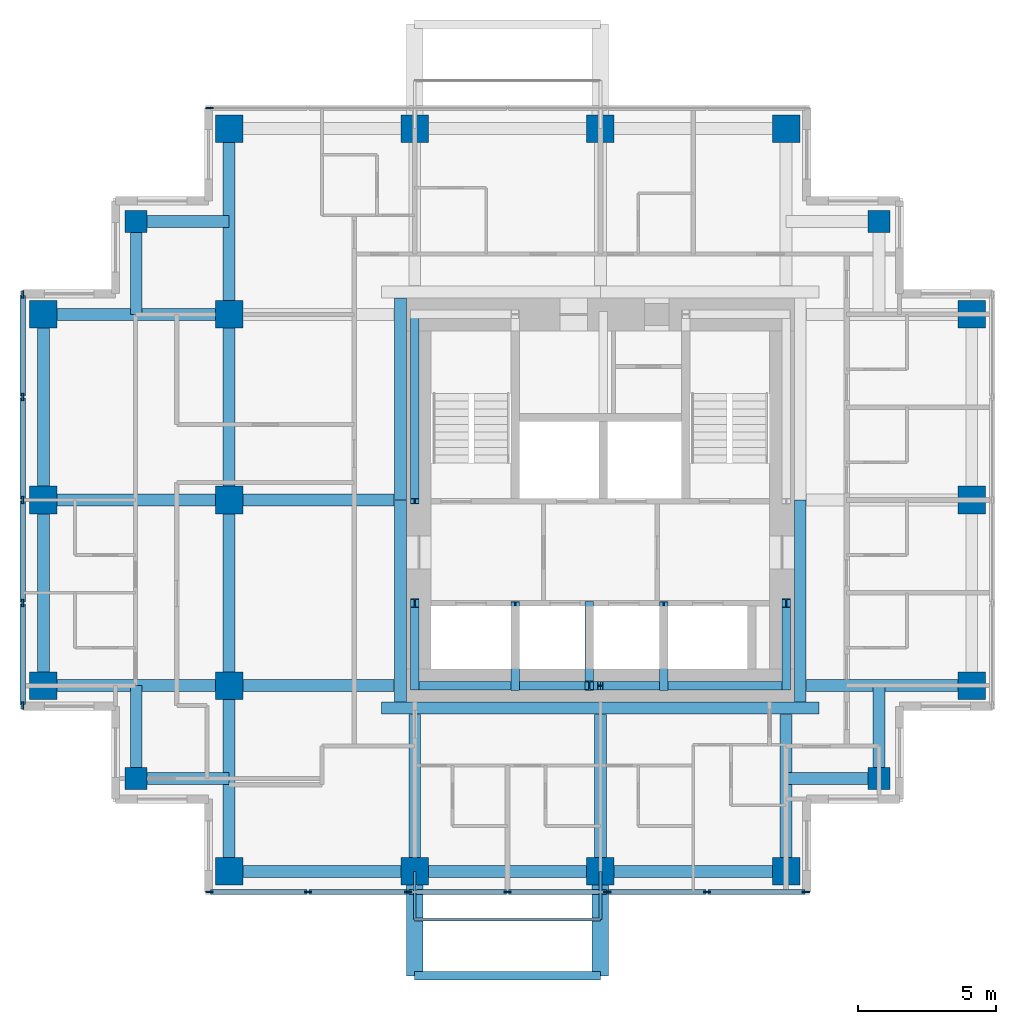
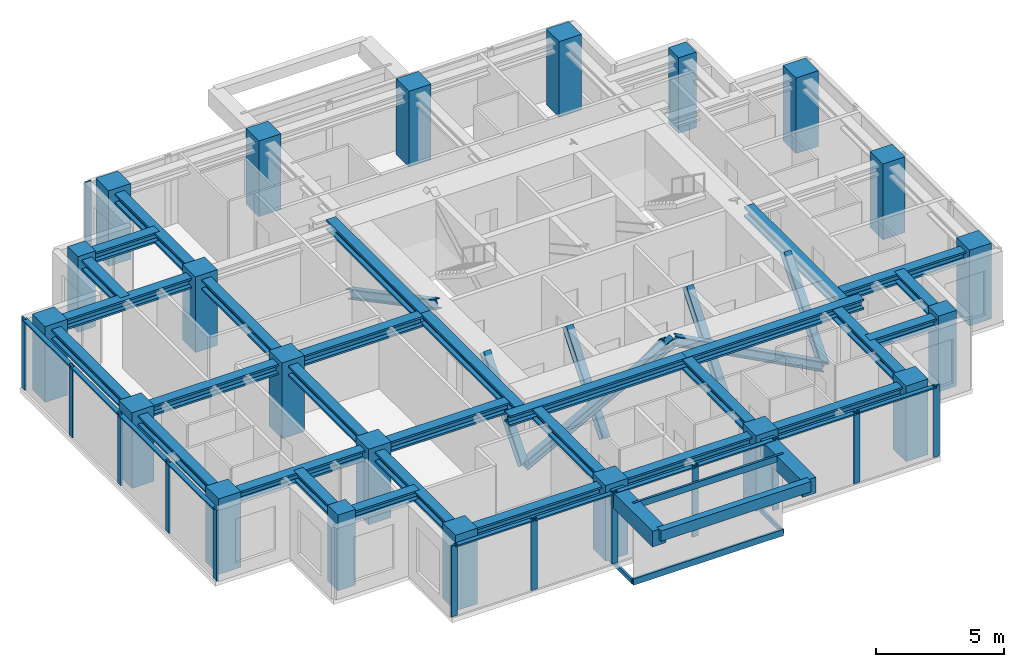
# One storey, part 1 of 8: 35 members, 32 beams, 21 columns, 3 elements without a shape of their own.
"""IFC4 building model written with IfcOpenShell, lengths in metres."""

from ifc_helpers import new_model, si_unit, direction, frame, origin, origin_2d, place, context, subcontext, project, spatial, rectangle, hollow_rectangle, i_section, extrude, material, material_profile, profile_set, type_object, element, aggregate, save


model = new_model("IFC4")

# Units and contexts
model_context = context("Model", 3, precision=1e-05, world=origin(), true_north=direction((0.0, 1.0)))
body_context = subcontext(model_context, "Body", "Model", "MODEL_VIEW")
ifc_project = project(units=[si_unit("LENGTHUNIT", "METRE"), si_unit("AREAUNIT", "SQUARE_METRE"), si_unit("VOLUMEUNIT", "CUBIC_METRE"), si_unit("PLANEANGLEUNIT", "RADIAN"), si_unit("MASSUNIT", "GRAM", prefix="KILO")], contexts=[model_context])

# Site, building, storey
site_placement = place(None, origin())
site = spatial("IfcSite", under=ifc_project, at=site_placement, CompositionType="ELEMENT")
building_placement = place(site_placement, origin())
building = spatial("IfcBuilding", under=site, at=building_placement, Name="Nyansa Garden Tower", CompositionType="ELEMENT")
storey_placement = place(building_placement, frame((0.0, 0.0, 243.89990234375)))
storey = spatial("IfcBuildingStorey", under=building, at=storey_placement, Name="L66", CompositionType="ELEMENT", Elevation=243.89990234375)

# Columns
ifc_material_1 = material(Name="Concrete C70/85", Category="concrete")
ifc_material_profile_1 = material_profile(ifc_material_1, rectangle(XDim=1.0, YDim=1.0, at=origin_2d()), Name="RC 1000x1000")
ifc_profile_set_1 = profile_set([ifc_material_profile_1], Name="Concrete C70/85")
column_type_1 = type_object("IfcColumnType", Name="Column C100 RC 1000x1000", PredefinedType="COLUMN", material=ifc_profile_set_1)
for number, where, z_axis, x_axis, name in (
    (1, (0.0, 13.5, 0.0), (0.0, 0.0, 1.0), (1.0, 0.0, 0.0), "Column 2/F L66"),
    (2, (0.0, 20.25, 0.0), (0.0, 0.0, 1.0), (1.0, 0.0, 0.0), "Column 2/G L66"),
    (3, (0.0, 27.0, 0.0), (0.0, 0.0, 1.0), (1.0, 0.0, 0.0), "Column 2/H L66"),
    (4, (6.75, 6.75, 0.0), (0.0, 0.0, 1.0), (1.0, 0.0, 0.0), "Column 3/E L66"),
    (5, (6.75, 13.5, 0.0), (0.0, 0.0, 1.0), (1.0, 0.0, 0.0), "Column 3/F L66"),
    (6, (6.75, 20.25, 0.0), (0.0, 0.0, 1.0), (1.0, 0.0, 0.0), "Column 3/G L66"),
    (7, (6.75, 27.0, 0.0), (0.0, 0.0, 1.0), (1.0, 0.0, 0.0), "Column 3/H L66"),
    (8, (6.75, 33.75, 0.0), (0.0, 0.0, 1.0), (1.0, 0.0, 0.0), "Column 3/J L66"),
    (9, (13.5, 6.75, 0.0), (0.0, 0.0, 1.0), (1.0, 0.0, 0.0), "Column 4/E L66"),
    (10, (13.5, 33.75, 0.0), (0.0, 0.0, 1.0), (1.0, 0.0, 0.0), "Column 4/J L66"),
    (11, (20.25, 6.75, 0.0), (0.0, 0.0, 1.0), (1.0, 0.0, 0.0), "Column 5/E L66"),
    (12, (20.25, 33.75, 0.0), (0.0, 0.0, 1.0), (1.0, 0.0, 0.0), "Column 5/J L66"),
    (13, (27.0, 6.75, 0.0), (0.0, 0.0, 1.0), (1.0, 0.0, 0.0), "Column 6/E L66"),
    (14, (27.0, 33.75, 0.0), (0.0, 0.0, 1.0), (1.0, 0.0, 0.0), "Column 6/J L66"),
    (15, (33.75, 13.5, 0.0), (0.0, 0.0, 1.0), (1.0, 0.0, 0.0), "Column 7/F L66"),
    (16, (33.75, 20.25, 0.0), (0.0, 0.0, 1.0), (1.0, 0.0, 0.0), "Column 7/G L66"),
    (17, (33.75, 27.0, 0.0), (0.0, 0.0, 1.0), (1.0, 0.0, 0.0), "Column 7/H L66"),
):
    element("IfcColumn", number, at=place(storey_placement, frame(where, z_axis=z_axis, x_axis=x_axis)), inside=storey, type_object=column_type_1, Name=name, PredefinedType="COLUMN", context=body_context, shape_type="SweptSolid", body=[
        extrude(rectangle(XDim=1.0, YDim=1.0, at=origin_2d()), origin(), (0.0, 0.0, 1.0), 3.60009765625),
    ])
ifc_material_2 = material(Name="Concrete C70/85", Category="concrete")
ifc_material_profile_2 = material_profile(ifc_material_2, rectangle(XDim=0.800048828125, YDim=0.800048828125, at=origin_2d()), Name="RC 800x800")
ifc_profile_set_2 = profile_set([ifc_material_profile_2], Name="Concrete C70/85")
column_type_2 = type_object("IfcColumnType", Name="Column C80 RC 800x800", PredefinedType="COLUMN", material=ifc_profile_set_2)
for number, where, z_axis, x_axis, name in (
    (18, (3.375, 10.125, 0.0), (0.0, 0.0, 1.0), (1.0, 0.0, 0.0), "Column x3.375/y10.125 L66"),
    (19, (3.375, 30.375, 0.0), (0.0, 0.0, 1.0), (1.0, 0.0, 0.0), "Column x3.375/y30.375 L66"),
    (20, (30.375, 10.125, 0.0), (0.0, 0.0, 1.0), (1.0, 0.0, 0.0), "Column x30.375/y10.125 L66"),
    (21, (30.375, 30.375, 0.0), (0.0, 0.0, 1.0), (1.0, 0.0, 0.0), "Column x30.375/y30.375 L66"),
):
    element("IfcColumn", number, at=place(storey_placement, frame(where, z_axis=z_axis, x_axis=x_axis)), inside=storey, type_object=column_type_2, Name=name, PredefinedType="COLUMN", context=body_context, shape_type="SweptSolid", body=[
        extrude(rectangle(XDim=0.800048828125, YDim=0.800048828125, at=origin_2d()), origin(), (0.0, 0.0, 1.0), 3.60009765625),
    ])

# Beams
ifc_material_3 = material(Name="Concrete C70/85", Category="concrete")
ifc_material_profile_3 = material_profile(ifc_material_3, rectangle(XDim=0.60009765625, YDim=0.75, at=origin_2d()), Name="RC 600x750")
ifc_profile_set_3 = profile_set([ifc_material_profile_3], Name="Concrete C70/85")
beam_type_1 = type_object("IfcBeamType", Name="Balcony cantilever beam CB1 RC 600x750", PredefinedType="BEAM", material=ifc_profile_set_3)
for number, where, z_axis, x_axis, name in (
    (22, (13.5, 6.75, 2.985107421875), (0.0, -1.0, 0.0), (1.0, 0.0, 0.0), "Balcony cantilever beam L67"),
    (23, (20.25, 6.75, 2.985107421875), (0.0, -1.0, 0.0), (1.0, 0.0, 0.0), "Balcony cantilever beam L67"),
):
    element("IfcBeam", number, at=place(storey_placement, frame(where, z_axis=z_axis, x_axis=x_axis)), inside=storey, type_object=beam_type_1, Name=name, PredefinedType="BEAM", context=body_context, shape_type="SweptSolid", body=[
        extrude(rectangle(XDim=0.60009765625, YDim=0.75, at=origin_2d()), origin(), (0.0, 0.0, 1.0), 3.800048828125),
    ])
ifc_material_4 = material(Name="Concrete C70/85", Category="concrete")
ifc_material_profile_4 = material_profile(ifc_material_4, rectangle(XDim=0.300048828125, YDim=0.5, at=origin_2d()), Name="RC 300x500")
ifc_profile_set_4 = profile_set([ifc_material_profile_4], Name="Concrete C70/85")
beam_type_2 = type_object("IfcBeamType", Name="Balcony edge beam BE1 RC 300x500", PredefinedType="BEAM", material=ifc_profile_set_4)
beam_1_placement = place(storey_placement, frame((13.5, 2.949951171875, 3.110107421875), z_axis=(1.0, 0.0, 0.0), x_axis=(0.0, 1.0, 0.0)))
element("IfcBeam", 24, at=beam_1_placement, inside=storey, type_object=beam_type_2, Name="Balcony edge beam L67", PredefinedType="BEAM", context=body_context, shape_type="SweptSolid", body=[
    extrude(rectangle(XDim=0.300048828125, YDim=0.5, at=origin_2d()), origin(), (0.0, 0.0, 1.0), 6.75),
])

# Curtain wall, member
ifc_material_5 = material(Name="Black anodised aluminium, dark tinted double glazing", Category="aluminium")
curtain_wall_type = type_object("IfcCurtainWallType", Name="Inner skin curtain wall ISW-D", PredefinedType="USERDEFINED", material=ifc_material_5)
curtain_wall_1_placement = place(storey_placement, origin())
curtain_wall_1 = element("IfcCurtainWall", 25, at=curtain_wall_1_placement, inside=storey, type_object=curtain_wall_type, Name="Inner skin curtain wall L66 N", ObjectType="UNITISED CURTAIN WALL", PredefinedType="USERDEFINED")
ifc_material_6 = material(Name="Black anodised aluminium", Category="aluminium")
ifc_material_profile_5 = material_profile(ifc_material_6, rectangle(XDim=0.070068359375, YDim=0.27490234375, at=origin_2d()), Name="Mullion 275x70")
ifc_profile_set_5 = profile_set([ifc_material_profile_5], Name="Black anodised aluminium")
member_type_1 = type_object("IfcMemberType", Name="Mullion ISW-D 275x70", PredefinedType="MULLION", material=ifc_profile_set_5)
member_1_placement = place(storey_placement, frame((6.034912109375, 34.5, 0.0), z_axis=(0.0, 0.0, 1.0), x_axis=(0.0, -1.0, 0.0)))
member_1 = element("IfcMember", 26, at=member_1_placement, type_object=member_type_1, Name="ISW-D mullion 7", PredefinedType="MULLION", context=body_context, shape_type="SweptSolid", body=[
    extrude(rectangle(XDim=0.070068359375, YDim=0.27490234375, at=origin_2d()), origin(), (0.0, 0.0, 1.0), 3.375),
])
aggregate(curtain_wall_1, [member_1])

# Curtain wall, members
curtain_wall_2_placement = place(storey_placement, origin())
curtain_wall_2 = element("IfcCurtainWall", 27, at=curtain_wall_2_placement, inside=storey, type_object=curtain_wall_type, Name="Inner skin curtain wall L66 W", ObjectType="UNITISED CURTAIN WALL", PredefinedType="USERDEFINED")
member_2_placement = place(storey_placement, frame((-0.75, 27.715087890625, 0.0), z_axis=(0.0, 0.0, 1.0), x_axis=(1.0, 0.0, 0.0)))
member_2 = element("IfcMember", 28, at=member_2_placement, type_object=member_type_1, Name="ISW-D mullion 1", PredefinedType="MULLION", context=body_context, shape_type="SweptSolid", body=[
    extrude(rectangle(XDim=0.070068359375, YDim=0.27490234375, at=origin_2d()), origin(), (0.0, 0.0, 1.0), 3.375),
])
member_3_placement = place(storey_placement, frame((-0.75, 24.0, 0.0), z_axis=(0.0, 0.0, 1.0), x_axis=(1.0, 0.0, 0.0)))
member_3 = element("IfcMember", 29, at=member_3_placement, type_object=member_type_1, Name="ISW-D mullion 2", PredefinedType="MULLION", context=body_context, shape_type="SweptSolid", body=[
    extrude(rectangle(XDim=0.070068359375, YDim=0.27490234375, at=origin_2d()), origin(), (0.0, 0.0, 1.0), 3.375),
])
member_4_placement = place(storey_placement, frame((-0.75, 20.25, 0.0), z_axis=(0.0, 0.0, 1.0), x_axis=(1.0, 0.0, 0.0)))
member_4 = element("IfcMember", 30, at=member_4_placement, type_object=member_type_1, Name="ISW-D mullion 3", PredefinedType="MULLION", context=body_context, shape_type="SweptSolid", body=[
    extrude(rectangle(XDim=0.070068359375, YDim=0.27490234375, at=origin_2d()), origin(), (0.0, 0.0, 1.0), 3.375),
])
member_5_placement = place(storey_placement, frame((-0.75, 16.5, 0.0), z_axis=(0.0, 0.0, 1.0), x_axis=(1.0, 0.0, 0.0)))
member_5 = element("IfcMember", 31, at=member_5_placement, type_object=member_type_1, Name="ISW-D mullion 4", PredefinedType="MULLION", context=body_context, shape_type="SweptSolid", body=[
    extrude(rectangle(XDim=0.070068359375, YDim=0.27490234375, at=origin_2d()), origin(), (0.0, 0.0, 1.0), 3.375),
])
member_6_placement = place(storey_placement, frame((-0.75, 12.784912109375, 0.0), z_axis=(0.0, 0.0, 1.0), x_axis=(1.0, 0.0, 0.0)))
member_6 = element("IfcMember", 32, at=member_6_placement, type_object=member_type_1, Name="ISW-D mullion 5", PredefinedType="MULLION", context=body_context, shape_type="SweptSolid", body=[
    extrude(rectangle(XDim=0.070068359375, YDim=0.27490234375, at=origin_2d()), origin(), (0.0, 0.0, 1.0), 3.375),
])

curtain_wall_3_placement = place(storey_placement, origin())
curtain_wall_3 = element("IfcCurtainWall", 33, at=curtain_wall_3_placement, inside=storey, type_object=curtain_wall_type, Name="Inner skin curtain wall L66 S", ObjectType="UNITISED CURTAIN WALL", PredefinedType="USERDEFINED")
member_7_placement = place(storey_placement, frame((6.034912109375, 6.0, 0.0), z_axis=(0.0, 0.0, 1.0), x_axis=(0.0, 1.0, 0.0)))
member_7 = element("IfcMember", 34, at=member_7_placement, type_object=member_type_1, Name="ISW-D mullion 1", PredefinedType="MULLION", context=body_context, shape_type="SweptSolid", body=[
    extrude(rectangle(XDim=0.070068359375, YDim=0.27490234375, at=origin_2d()), origin(), (0.0, 0.0, 1.0), 3.375),
])
member_8_placement = place(storey_placement, frame((9.625, 6.0, 0.0), z_axis=(0.0, 0.0, 1.0), x_axis=(0.0, 1.0, 0.0)))
member_8 = element("IfcMember", 35, at=member_8_placement, type_object=member_type_1, Name="ISW-D mullion 2", PredefinedType="MULLION", context=body_context, shape_type="SweptSolid", body=[
    extrude(rectangle(XDim=0.070068359375, YDim=0.27490234375, at=origin_2d()), origin(), (0.0, 0.0, 1.0), 3.375),
])
member_9_placement = place(storey_placement, frame((13.25, 6.0, 0.0), z_axis=(0.0, 0.0, 1.0), x_axis=(0.0, 1.0, 0.0)))
member_9 = element("IfcMember", 36, at=member_9_placement, type_object=member_type_1, Name="ISW-D mullion 3", PredefinedType="MULLION", context=body_context, shape_type="SweptSolid", body=[
    extrude(rectangle(XDim=0.070068359375, YDim=0.27490234375, at=origin_2d()), origin(), (0.0, 0.0, 1.0), 3.375),
])
member_10_placement = place(storey_placement, frame((16.875, 6.0, 0.0), z_axis=(0.0, 0.0, 1.0), x_axis=(0.0, 1.0, 0.0)))
member_10 = element("IfcMember", 37, at=member_10_placement, type_object=member_type_1, Name="ISW-D mullion 4", PredefinedType="MULLION", context=body_context, shape_type="SweptSolid", body=[
    extrude(rectangle(XDim=0.070068359375, YDim=0.27490234375, at=origin_2d()), origin(), (0.0, 0.0, 1.0), 3.375),
])
member_11_placement = place(storey_placement, frame((20.5, 6.0, 0.0), z_axis=(0.0, 0.0, 1.0), x_axis=(0.0, 1.0, 0.0)))
member_11 = element("IfcMember", 38, at=member_11_placement, type_object=member_type_1, Name="ISW-D mullion 5", PredefinedType="MULLION", context=body_context, shape_type="SweptSolid", body=[
    extrude(rectangle(XDim=0.070068359375, YDim=0.27490234375, at=origin_2d()), origin(), (0.0, 0.0, 1.0), 3.375),
])
member_12_placement = place(storey_placement, frame((24.125, 6.0, 0.0), z_axis=(0.0, 0.0, 1.0), x_axis=(0.0, 1.0, 0.0)))
member_12 = element("IfcMember", 39, at=member_12_placement, type_object=member_type_1, Name="ISW-D mullion 6", PredefinedType="MULLION", context=body_context, shape_type="SweptSolid", body=[
    extrude(rectangle(XDim=0.070068359375, YDim=0.27490234375, at=origin_2d()), origin(), (0.0, 0.0, 1.0), 3.375),
])
member_13_placement = place(storey_placement, frame((27.715087890625, 6.0, 0.0), z_axis=(0.0, 0.0, 1.0), x_axis=(0.0, 1.0, 0.0)))
member_13 = element("IfcMember", 40, at=member_13_placement, type_object=member_type_1, Name="ISW-D mullion 7", PredefinedType="MULLION", context=body_context, shape_type="SweptSolid", body=[
    extrude(rectangle(XDim=0.070068359375, YDim=0.27490234375, at=origin_2d()), origin(), (0.0, 0.0, 1.0), 3.375),
])

# Members
ifc_material_7 = material(Name="Steel S355, black powder coated", Category="steel")
ifc_material_profile_6 = material_profile(ifc_material_7, hollow_rectangle(XDim=0.10009765625, YDim=0.199951171875, WallThickness=0.008056640625, at=origin_2d()), Name="RHS 200x100x8")
ifc_profile_set_6 = profile_set([ifc_material_profile_6], Name="Steel S355, black powder coated")
member_type_2 = type_object("IfcMemberType", Name="Outer skin bracket arm RHS 200x100x8", PredefinedType="USERDEFINED", material=ifc_profile_set_6)
for number, where, z_axis, x_axis, name in (
    (41, (13.5, 6.75, -0.375), (0.0, -1.0, 0.0), (1.0, 0.0, 0.0), "Outer skin bracket arm"),
    (42, (20.25, 6.75, -0.375), (0.0, -1.0, 0.0), (1.0, 0.0, 0.0), "Outer skin bracket arm"),
):
    element("IfcMember", number, at=place(storey_placement, frame(where, z_axis=z_axis, x_axis=x_axis)), inside=storey, type_object=member_type_2, Name=name, ObjectType="OUTER SKIN BRACKET", PredefinedType="USERDEFINED", context=body_context, shape_type="SweptSolid", body=[
        extrude(hollow_rectangle(XDim=0.10009765625, YDim=0.199951171875, WallThickness=0.008056640625, at=origin_2d()), origin(), (0.0, 0.0, 1.0), 1.75),
    ])
ifc_material_8 = material(Name="Steel S355, black powder coated", Category="steel")
ifc_material_profile_7 = material_profile(ifc_material_8, hollow_rectangle(XDim=0.10009765625, YDim=0.300048828125, WallThickness=0.010009765625, at=origin_2d()), Name="RHS 300x100x10")
ifc_profile_set_7 = profile_set([ifc_material_profile_7], Name="Steel S355, black powder coated")
member_type_3 = type_object("IfcMemberType", Name="Outer skin rail RHS 300x100x10", PredefinedType="USERDEFINED", material=ifc_profile_set_7)
for number, where, z_axis, x_axis, name in (
    (43, (13.5, 5.0, -0.375), (1.0, 0.0, 0.0), (0.0, 1.0, 0.0), "Outer skin rail L66"),
    (44, (13.5, 5.0, 3.22509765625), (1.0, 0.0, 0.0), (0.0, 1.0, 0.0), "Outer skin rail L66 head"),
):
    element("IfcMember", number, at=place(storey_placement, frame(where, z_axis=z_axis, x_axis=x_axis)), inside=storey, type_object=member_type_3, Name=name, ObjectType="OUTER SKIN RAIL", PredefinedType="USERDEFINED", context=body_context, shape_type="SweptSolid", body=[
        extrude(hollow_rectangle(XDim=0.10009765625, YDim=0.300048828125, WallThickness=0.010009765625, at=origin_2d()), origin(), (0.0, 0.0, 1.0), 6.75),
    ])
ifc_material_9 = material(Name="Steel S355", Category="steel")
ifc_material_profile_8 = material_profile(ifc_material_9, i_section(OverallWidth=0.306884765625, OverallDepth=0.431884765625, WebThickness=0.02099609375, FlangeThickness=0.0400390625, FilletRadius=0.027099609375, at=origin_2d()), Name="HE 400 M")
ifc_profile_set_8 = profile_set([ifc_material_profile_8], Name="Steel S355")
member_type_4 = type_object("IfcMemberType", Name="Perimeter brace HE 400 M", PredefinedType="BRACE", material=ifc_profile_set_8)
for number, where, z_axis, x_axis, name in (
    (45, (13.5, 13.5, 0.0), (0.882347640589, 0.0, 0.47059817376), (0.0, 1.0, 0.0), "Core brace CS1 L66"),
    (46, (27.0, 13.5, 0.0), (-0.882347640589, 0.0, 0.47059817376), (0.0, -1.0, 0.0), "Core brace CS2 L66"),
):
    element("IfcMember", number, at=place(storey_placement, frame(where, z_axis=z_axis, x_axis=x_axis)), inside=storey, type_object=member_type_4, Name=name, PredefinedType="BRACE", context=body_context, shape_type="SweptSolid", body=[
        extrude(i_section(OverallWidth=0.306884765625, OverallDepth=0.431884765625, WebThickness=0.02099609375, FlangeThickness=0.0400390625, FilletRadius=0.027099609375, at=origin_2d()), origin(), (0.0, 0.0, 1.0), 7.650146484375),
    ])
member_14_placement = place(storey_placement, frame((13.5, 13.5, 0.0), z_axis=(0.0, 0.640174150918, 0.768229820104), x_axis=(-1.0, 0.0, 0.0)))
element("IfcMember", 47, at=member_14_placement, inside=storey, type_object=member_type_4, Name="Core brace CW5 L66", PredefinedType="BRACE", context=body_context, shape_type="SweptSolid", body=[
    extrude(i_section(OverallWidth=0.306884765625, OverallDepth=0.431884765625, WebThickness=0.02099609375, FlangeThickness=0.0400390625, FilletRadius=0.027099609375, at=origin_2d()), origin(), (0.0, 0.0, 1.0), 4.686279296875),
])
member_15_placement = place(storey_placement, frame((13.5, 27.0, 0.0), z_axis=(0.0, -0.883784057226, 0.467895009796), x_axis=(1.0, 0.0, 0.0)))
element("IfcMember", 48, at=member_15_placement, inside=storey, type_object=member_type_4, Name="Core brace CW6 L66", PredefinedType="BRACE", context=body_context, shape_type="SweptSolid", body=[
    extrude(i_section(OverallWidth=0.306884765625, OverallDepth=0.431884765625, WebThickness=0.02099609375, FlangeThickness=0.0400390625, FilletRadius=0.027099609375, at=origin_2d()), origin(), (0.0, 0.0, 1.0), 7.6943359375),
])
member_16_placement = place(storey_placement, frame((27.0, 13.5, 0.0), z_axis=(0.0, 0.640174150918, 0.768229820104), x_axis=(-1.0, 0.0, 0.0)))
element("IfcMember", 49, at=member_16_placement, inside=storey, type_object=member_type_4, Name="Core brace CE7 L66", PredefinedType="BRACE", context=body_context, shape_type="SweptSolid", body=[
    extrude(i_section(OverallWidth=0.306884765625, OverallDepth=0.431884765625, WebThickness=0.02099609375, FlangeThickness=0.0400390625, FilletRadius=0.027099609375, at=origin_2d()), origin(), (0.0, 0.0, 1.0), 4.686279296875),
])
for number, where, z_axis, x_axis, name in (
    (50, (17.14990234375, 13.5, 0.0), (0.0, 0.627306405886, 0.778772542617), (-1.0, 0.0, 0.0), "Core brace CSW11 L66"),
    (51, (19.85009765625, 16.39990234375, 0.0), (0.0, -0.627306405886, 0.778772542617), (1.0, 0.0, 0.0), "Core brace CSW12 L66"),
    (52, (22.550048828125, 13.5, 0.0), (0.0, 0.627306405886, 0.778772542617), (-1.0, 0.0, 0.0), "Core brace CSW13 L66"),
):
    element("IfcMember", number, at=place(storey_placement, frame(where, z_axis=z_axis, x_axis=x_axis)), inside=storey, type_object=member_type_4, Name=name, PredefinedType="BRACE", context=body_context, shape_type="SweptSolid", body=[
        extrude(i_section(OverallWidth=0.306884765625, OverallDepth=0.431884765625, WebThickness=0.02099609375, FlangeThickness=0.0400390625, FilletRadius=0.027099609375, at=origin_2d()), origin(), (0.0, 0.0, 1.0), 4.622802734375),
    ])

# Beams
ifc_material_10 = material(Name="Steel S355", Category="steel")
ifc_material_profile_9 = material_profile(ifc_material_10, i_section(OverallWidth=0.431884765625, OverallDepth=0.498046875, WebThickness=0.0556640625, FlangeThickness=0.0888671875, FilletRadius=0.014892578125, at=origin_2d()), Name="HD 400x744")
ifc_profile_set_9 = profile_set([ifc_material_profile_9], Name="Steel S355")
beam_type_3 = type_object("IfcBeamType", Name="Steel beam SBD1-744 HD 400x744", PredefinedType="BEAM", material=ifc_profile_set_9)
for number, where, z_axis, x_axis, name in (
    (53, (0.0, 13.5, 3.1259765625), (1.0, 0.0, 0.0), (0.0, 1.0, 0.0), "Steel beam 2/F-3/F L67"),
    (54, (0.0, 20.25, 3.1259765625), (1.0, 0.0, 0.0), (0.0, 1.0, 0.0), "Steel beam 2/G-3/G L67"),
    (55, (0.0, 27.0, 3.1259765625), (1.0, 0.0, 0.0), (0.0, 1.0, 0.0), "Steel beam 2/H-3/H L67"),
    (56, (6.75, 6.75, 3.1259765625), (0.0, 1.0, 0.0), (-1.0, 0.0, 0.0), "Steel beam 3/E-3/F L67"),
    (57, (6.75, 13.5, 3.1259765625), (0.0, 1.0, 0.0), (-1.0, 0.0, 0.0), "Steel beam 3/F-3/G L67"),
):
    element("IfcBeam", number, at=place(storey_placement, frame(where, z_axis=z_axis, x_axis=x_axis)), inside=storey, type_object=beam_type_3, Name=name, PredefinedType="BEAM", context=body_context, shape_type="SweptSolid", body=[
        extrude(i_section(OverallWidth=0.431884765625, OverallDepth=0.498046875, WebThickness=0.0556640625, FlangeThickness=0.0888671875, FilletRadius=0.014892578125, at=origin_2d()), origin(), (0.0, 0.0, 1.0), 6.75),
    ])
beam_2_placement = place(storey_placement, frame((6.75, 13.5, 3.1259765625), z_axis=(1.0, 0.0, 0.0), x_axis=(0.0, 1.0, 0.0)))
element("IfcBeam", 58, at=beam_2_placement, inside=storey, type_object=beam_type_3, Name="Steel beam 3/F-12.750/F L67", PredefinedType="BEAM", context=body_context, shape_type="SweptSolid", body=[
    extrude(i_section(OverallWidth=0.431884765625, OverallDepth=0.498046875, WebThickness=0.0556640625, FlangeThickness=0.0888671875, FilletRadius=0.014892578125, at=origin_2d()), origin(), (0.0, 0.0, 1.0), 6.0),
])
beam_3_placement = place(storey_placement, frame((6.75, 20.25, 3.1259765625), z_axis=(0.0, 1.0, 0.0), x_axis=(-1.0, 0.0, 0.0)))
element("IfcBeam", 59, at=beam_3_placement, inside=storey, type_object=beam_type_3, Name="Steel beam 3/G-3/H L67", PredefinedType="BEAM", context=body_context, shape_type="SweptSolid", body=[
    extrude(i_section(OverallWidth=0.431884765625, OverallDepth=0.498046875, WebThickness=0.0556640625, FlangeThickness=0.0888671875, FilletRadius=0.014892578125, at=origin_2d()), origin(), (0.0, 0.0, 1.0), 6.75),
])
beam_4_placement = place(storey_placement, frame((6.75, 20.25, 3.1259765625), z_axis=(1.0, 0.0, 0.0), x_axis=(0.0, 1.0, 0.0)))
element("IfcBeam", 60, at=beam_4_placement, inside=storey, type_object=beam_type_3, Name="Steel beam 3/G-12.750/G L67", PredefinedType="BEAM", context=body_context, shape_type="SweptSolid", body=[
    extrude(i_section(OverallWidth=0.431884765625, OverallDepth=0.498046875, WebThickness=0.0556640625, FlangeThickness=0.0888671875, FilletRadius=0.014892578125, at=origin_2d()), origin(), (0.0, 0.0, 1.0), 6.0),
])
beam_5_placement = place(storey_placement, frame((6.75, 27.0, 3.1259765625), z_axis=(0.0, 1.0, 0.0), x_axis=(-1.0, 0.0, 0.0)))
element("IfcBeam", 61, at=beam_5_placement, inside=storey, type_object=beam_type_3, Name="Steel beam 3/H-3/J L67", PredefinedType="BEAM", context=body_context, shape_type="SweptSolid", body=[
    extrude(i_section(OverallWidth=0.431884765625, OverallDepth=0.498046875, WebThickness=0.0556640625, FlangeThickness=0.0888671875, FilletRadius=0.014892578125, at=origin_2d()), origin(), (0.0, 0.0, 1.0), 6.75),
])
for number, where, z_axis, x_axis, name in (
    (62, (13.5, 6.75, 3.1259765625), (0.0, 1.0, 0.0), (-1.0, 0.0, 0.0), "Steel beam 4/E-4/12.450 L67"),
    (63, (20.25, 6.75, 3.1259765625), (0.0, 1.0, 0.0), (-1.0, 0.0, 0.0), "Steel beam 5/E-5/12.450 L67"),
    (64, (27.0, 6.75, 3.1259765625), (0.0, 1.0, 0.0), (-1.0, 0.0, 0.0), "Steel beam 6/E-6/12.450 L67"),
):
    element("IfcBeam", number, at=place(storey_placement, frame(where, z_axis=z_axis, x_axis=x_axis)), inside=storey, type_object=beam_type_3, Name=name, PredefinedType="BEAM", context=body_context, shape_type="SweptSolid", body=[
        extrude(i_section(OverallWidth=0.431884765625, OverallDepth=0.498046875, WebThickness=0.0556640625, FlangeThickness=0.0888671875, FilletRadius=0.014892578125, at=origin_2d()), origin(), (0.0, 0.0, 1.0), 5.699951171875),
    ])
beam_6_placement = place(storey_placement, frame((27.75, 13.5, 3.1259765625), z_axis=(1.0, 0.0, 0.0), x_axis=(0.0, 1.0, 0.0)))
element("IfcBeam", 65, at=beam_6_placement, inside=storey, type_object=beam_type_3, Name="Steel beam 27.750/F-7/F L67", PredefinedType="BEAM", context=body_context, shape_type="SweptSolid", body=[
    extrude(i_section(OverallWidth=0.431884765625, OverallDepth=0.498046875, WebThickness=0.0556640625, FlangeThickness=0.0888671875, FilletRadius=0.014892578125, at=origin_2d()), origin(), (0.0, 0.0, 1.0), 6.0),
])
ifc_material_11 = material(Name="Steel S355", Category="steel")
ifc_material_profile_10 = material_profile(ifc_material_11, i_section(OverallWidth=0.431884765625, OverallDepth=0.498046875, WebThickness=0.0556640625, FlangeThickness=0.0888671875, FilletRadius=0.014892578125, at=origin_2d()), Name="HD 400x744")
ifc_profile_set_10 = profile_set([ifc_material_profile_10], Name="Steel S355")
beam_type_4 = type_object("IfcBeamType", Name="Steel beam SEBD-744 HD 400x744", PredefinedType="BEAM", material=ifc_profile_set_10)
for number, where, z_axis, x_axis, name in (
    (66, (0.0, 13.5, 3.1259765625), (0.0, 1.0, 0.0), (-1.0, 0.0, 0.0), "Steel edge beam 2/F-2/G L67"),
    (67, (0.0, 20.25, 3.1259765625), (0.0, 1.0, 0.0), (-1.0, 0.0, 0.0), "Steel edge beam 2/G-2/H L67"),
    (68, (6.75, 6.75, 3.1259765625), (1.0, 0.0, 0.0), (0.0, 1.0, 0.0), "Steel edge beam 3/E-4/E L67"),
    (69, (13.5, 6.75, 3.1259765625), (1.0, 0.0, 0.0), (0.0, 1.0, 0.0), "Steel edge beam 4/E-5/E L67"),
    (70, (20.25, 6.75, 3.1259765625), (1.0, 0.0, 0.0), (0.0, 1.0, 0.0), "Steel edge beam 5/E-6/E L67"),
):
    element("IfcBeam", number, at=place(storey_placement, frame(where, z_axis=z_axis, x_axis=x_axis)), inside=storey, type_object=beam_type_4, Name=name, PredefinedType="BEAM", context=body_context, shape_type="SweptSolid", body=[
        extrude(i_section(OverallWidth=0.431884765625, OverallDepth=0.498046875, WebThickness=0.0556640625, FlangeThickness=0.0888671875, FilletRadius=0.014892578125, at=origin_2d()), origin(), (0.0, 0.0, 1.0), 6.75),
    ])
ifc_material_12 = material(Name="Steel S355", Category="steel")
ifc_material_profile_11 = material_profile(ifc_material_12, i_section(OverallWidth=0.431884765625, OverallDepth=0.498046875, WebThickness=0.0556640625, FlangeThickness=0.0888671875, FilletRadius=0.014892578125, at=origin_2d()), Name="HD 400x744")
ifc_profile_set_11 = profile_set([ifc_material_profile_11], Name="Steel S355")
beam_type_5 = type_object("IfcBeamType", Name="Steel beam SLB1-744 HD 400x744", PredefinedType="BEAM", material=ifc_profile_set_11)
for number, where, z_axis, x_axis, name in (
    (71, (12.300048828125, 12.68408203125, 3.1259765625), (1.0, 0.0, 0.0), (0.0, 1.0, 0.0), "Steel core ledger beam S.1 L67"),
    (72, (20.25, 12.68408203125, 3.1259765625), (1.0, 0.0, 0.0), (0.0, 1.0, 0.0), "Steel core ledger beam S.2 L67"),
):
    element("IfcBeam", number, at=place(storey_placement, frame(where, z_axis=z_axis, x_axis=x_axis)), inside=storey, type_object=beam_type_5, Name=name, PredefinedType="BEAM", context=body_context, shape_type="SweptSolid", body=[
        extrude(i_section(OverallWidth=0.431884765625, OverallDepth=0.498046875, WebThickness=0.0556640625, FlangeThickness=0.0888671875, FilletRadius=0.014892578125, at=origin_2d()), origin(), (0.0, 0.0, 1.0), 7.949951171875),
    ])
for number, where, z_axis, x_axis, name in (
    (73, (27.51611328125, 12.89990234375, 3.1259765625), (0.0, 1.0, 0.0), (-1.0, 0.0, 0.0), "Steel core ledger beam E.1 L67"),
    (74, (12.98388671875, 27.60009765625, 3.1259765625), (0.0, -1.0, 0.0), (1.0, 0.0, 0.0), "Steel core ledger beam W.1 L67"),
    (75, (12.98388671875, 20.25, 3.1259765625), (0.0, -1.0, 0.0), (1.0, 0.0, 0.0), "Steel core ledger beam W.2 L67"),
):
    element("IfcBeam", number, at=place(storey_placement, frame(where, z_axis=z_axis, x_axis=x_axis)), inside=storey, type_object=beam_type_5, Name=name, PredefinedType="BEAM", context=body_context, shape_type="SweptSolid", body=[
        extrude(i_section(OverallWidth=0.431884765625, OverallDepth=0.498046875, WebThickness=0.0556640625, FlangeThickness=0.0888671875, FilletRadius=0.014892578125, at=origin_2d()), origin(), (0.0, 0.0, 1.0), 7.35009765625),
    ])
ifc_material_13 = material(Name="Steel S355", Category="steel")
ifc_material_profile_12 = material_profile(ifc_material_13, i_section(OverallWidth=0.431884765625, OverallDepth=0.498046875, WebThickness=0.0556640625, FlangeThickness=0.0888671875, FilletRadius=0.014892578125, at=origin_2d()), Name="HD 400x744")
ifc_profile_set_12 = profile_set([ifc_material_profile_12], Name="Steel S355")
beam_type_6 = type_object("IfcBeamType", Name="Steel beam SSB1-744 HD 400x744", PredefinedType="BEAM", material=ifc_profile_set_12)
for number, where, z_axis, x_axis, name in (
    (76, (3.375, 10.125, 3.1259765625), (0.0, 1.0, 0.0), (-1.0, 0.0, 0.0), "Steel step beam 3.375/10.125 L67"),
    (77, (3.375, 10.125, 3.1259765625), (1.0, 0.0, 0.0), (0.0, 1.0, 0.0), "Steel step beam 3.375/10.125 L67"),
    (78, (30.375, 10.125, 3.1259765625), (0.0, 1.0, 0.0), (-1.0, 0.0, 0.0), "Steel step beam 30.375/10.125 L67"),
    (79, (30.375, 10.125, 3.1259765625), (-1.0, 0.0, 0.0), (0.0, -1.0, 0.0), "Steel step beam 30.375/10.125 L67"),
    (80, (3.375, 30.375, 3.1259765625), (0.0, -1.0, 0.0), (1.0, 0.0, 0.0), "Steel step beam 3.375/30.375 L67"),
    (81, (3.375, 30.375, 3.1259765625), (1.0, 0.0, 0.0), (0.0, 1.0, 0.0), "Steel step beam 3.375/30.375 L67"),
):
    element("IfcBeam", number, at=place(storey_placement, frame(where, z_axis=z_axis, x_axis=x_axis)), inside=storey, type_object=beam_type_6, Name=name, PredefinedType="BEAM", context=body_context, shape_type="SweptSolid", body=[
        extrude(i_section(OverallWidth=0.431884765625, OverallDepth=0.498046875, WebThickness=0.0556640625, FlangeThickness=0.0888671875, FilletRadius=0.014892578125, at=origin_2d()), origin(), (0.0, 0.0, 1.0), 3.375),
    ])

# Member
ifc_material_14 = material(Name="Black anodised aluminium", Category="aluminium")
ifc_material_profile_13 = material_profile(ifc_material_14, rectangle(XDim=0.195068359375, YDim=0.070068359375, at=origin_2d()), Name="Transom 195x70")
ifc_profile_set_13 = profile_set([ifc_material_profile_13], Name="Black anodised aluminium")
member_type_5 = type_object("IfcMemberType", Name="Transom ISW-D 195x70", PredefinedType="USERDEFINED", material=ifc_profile_set_13)
member_17_placement = place(storey_placement, frame((-0.75, 27.679931640625, 3.340087890625), z_axis=(0.0, -1.0, 0.0), x_axis=(1.0, 0.0, 0.0)))
member_17 = element("IfcMember", 82, at=member_17_placement, type_object=member_type_5, Name="ISW-D transom 1", ObjectType="TRANSOM", PredefinedType="USERDEFINED", context=body_context, shape_type="SweptSolid", body=[
    extrude(rectangle(XDim=0.195068359375, YDim=0.070068359375, at=origin_2d()), origin(), (0.0, 0.0, 1.0), 3.64501953125),
])

member_18_placement = place(storey_placement, frame((-0.75, 23.965087890625, 3.340087890625), z_axis=(0.0, -1.0, 0.0), x_axis=(1.0, 0.0, 0.0)))
member_18 = element("IfcMember", 83, at=member_18_placement, type_object=member_type_5, Name="ISW-D transom 2", ObjectType="TRANSOM", PredefinedType="USERDEFINED", context=body_context, shape_type="SweptSolid", body=[
    extrude(rectangle(XDim=0.195068359375, YDim=0.070068359375, at=origin_2d()), origin(), (0.0, 0.0, 1.0), 3.68017578125),
])

member_19_placement = place(storey_placement, frame((-0.75, 20.215087890625, 3.340087890625), z_axis=(0.0, -1.0, 0.0), x_axis=(1.0, 0.0, 0.0)))
member_19 = element("IfcMember", 84, at=member_19_placement, type_object=member_type_5, Name="ISW-D transom 3", ObjectType="TRANSOM", PredefinedType="USERDEFINED", context=body_context, shape_type="SweptSolid", body=[
    extrude(rectangle(XDim=0.195068359375, YDim=0.070068359375, at=origin_2d()), origin(), (0.0, 0.0, 1.0), 3.68017578125),
])

member_20_placement = place(storey_placement, frame((-0.75, 16.465087890625, 3.340087890625), z_axis=(0.0, -1.0, 0.0), x_axis=(1.0, 0.0, 0.0)))
member_20 = element("IfcMember", 85, at=member_20_placement, type_object=member_type_5, Name="ISW-D transom 4", ObjectType="TRANSOM", PredefinedType="USERDEFINED", context=body_context, shape_type="SweptSolid", body=[
    extrude(rectangle(XDim=0.195068359375, YDim=0.070068359375, at=origin_2d()), origin(), (0.0, 0.0, 1.0), 3.64501953125),
])

aggregate(curtain_wall_2, [member_2, member_3, member_4, member_5, member_6, member_17, member_18, member_19, member_20])

member_21_placement = place(storey_placement, frame((6.070068359375, 6.0, 3.340087890625), z_axis=(1.0, 0.0, 0.0), x_axis=(0.0, 1.0, 0.0)))
member_21 = element("IfcMember", 86, at=member_21_placement, type_object=member_type_5, Name="ISW-D transom 1", ObjectType="TRANSOM", PredefinedType="USERDEFINED", context=body_context, shape_type="SweptSolid", body=[
    extrude(rectangle(XDim=0.195068359375, YDim=0.070068359375, at=origin_2d()), origin(), (0.0, 0.0, 1.0), 3.52001953125),
])

member_22_placement = place(storey_placement, frame((9.659912109375, 6.0, 3.340087890625), z_axis=(1.0, 0.0, 0.0), x_axis=(0.0, 1.0, 0.0)))
member_22 = element("IfcMember", 87, at=member_22_placement, type_object=member_type_5, Name="ISW-D transom 2", ObjectType="TRANSOM", PredefinedType="USERDEFINED", context=body_context, shape_type="SweptSolid", body=[
    extrude(rectangle(XDim=0.195068359375, YDim=0.070068359375, at=origin_2d()), origin(), (0.0, 0.0, 1.0), 3.55517578125),
])

member_23_placement = place(storey_placement, frame((13.284912109375, 6.0, 3.340087890625), z_axis=(1.0, 0.0, 0.0), x_axis=(0.0, 1.0, 0.0)))
member_23 = element("IfcMember", 88, at=member_23_placement, type_object=member_type_5, Name="ISW-D transom 3", ObjectType="TRANSOM", PredefinedType="USERDEFINED", context=body_context, shape_type="SweptSolid", body=[
    extrude(rectangle(XDim=0.195068359375, YDim=0.070068359375, at=origin_2d()), origin(), (0.0, 0.0, 1.0), 3.55517578125),
])

member_24_placement = place(storey_placement, frame((16.909912109375, 6.0, 3.340087890625), z_axis=(1.0, 0.0, 0.0), x_axis=(0.0, 1.0, 0.0)))
member_24 = element("IfcMember", 89, at=member_24_placement, type_object=member_type_5, Name="ISW-D transom 4", ObjectType="TRANSOM", PredefinedType="USERDEFINED", context=body_context, shape_type="SweptSolid", body=[
    extrude(rectangle(XDim=0.195068359375, YDim=0.070068359375, at=origin_2d()), origin(), (0.0, 0.0, 1.0), 3.55517578125),
])

member_25_placement = place(storey_placement, frame((20.534912109375, 6.0, 3.340087890625), z_axis=(1.0, 0.0, 0.0), x_axis=(0.0, 1.0, 0.0)))
member_25 = element("IfcMember", 90, at=member_25_placement, type_object=member_type_5, Name="ISW-D transom 5", ObjectType="TRANSOM", PredefinedType="USERDEFINED", context=body_context, shape_type="SweptSolid", body=[
    extrude(rectangle(XDim=0.195068359375, YDim=0.070068359375, at=origin_2d()), origin(), (0.0, 0.0, 1.0), 3.55517578125),
])

member_26_placement = place(storey_placement, frame((24.159912109375, 6.0, 3.340087890625), z_axis=(1.0, 0.0, 0.0), x_axis=(0.0, 1.0, 0.0)))
member_26 = element("IfcMember", 91, at=member_26_placement, type_object=member_type_5, Name="ISW-D transom 6", ObjectType="TRANSOM", PredefinedType="USERDEFINED", context=body_context, shape_type="SweptSolid", body=[
    extrude(rectangle(XDim=0.195068359375, YDim=0.070068359375, at=origin_2d()), origin(), (0.0, 0.0, 1.0), 3.52001953125),
])

aggregate(curtain_wall_3, [member_7, member_8, member_9, member_10, member_11, member_12, member_13, member_21, member_22, member_23, member_24, member_25, member_26])

save(model, "model.ifc")
